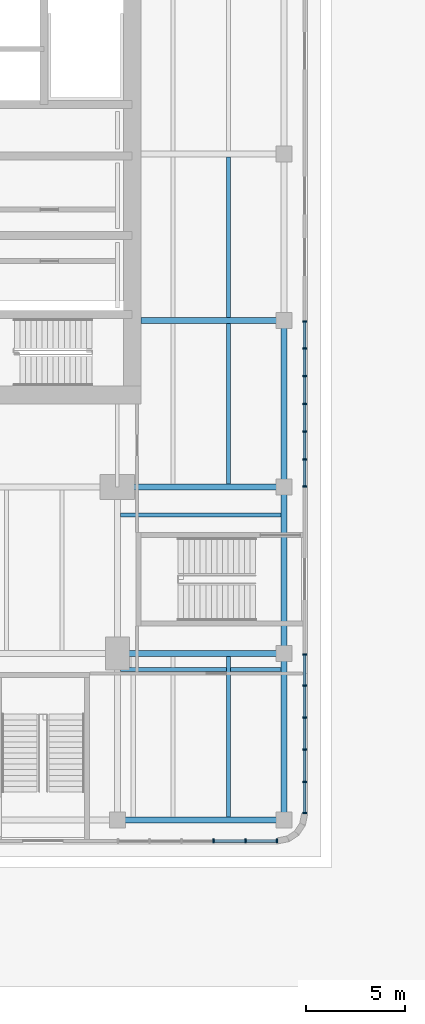
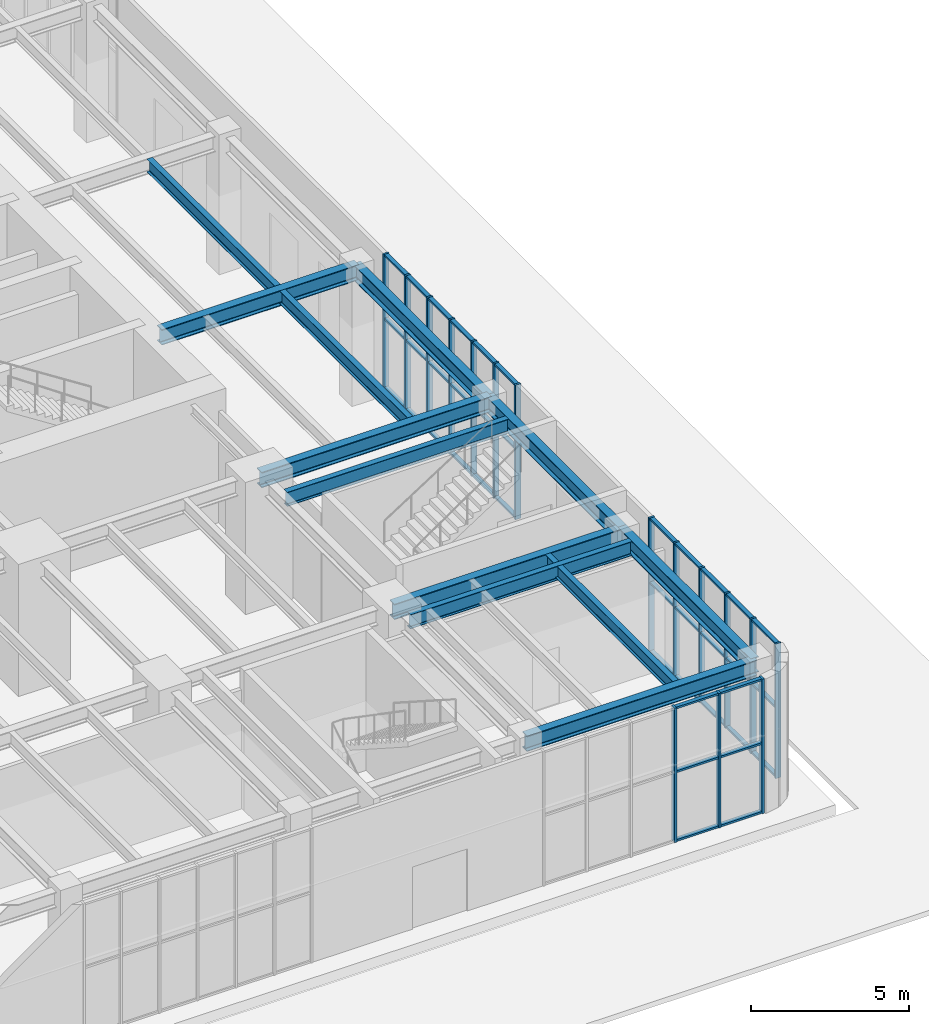
# One storey, part 9 of 31: 55 members, 12 beams, 3 elements without a shape of their own.
"""IFC4 building model written with IfcOpenShell, lengths in metres."""

import ifcopenshell
import ifcopenshell.guid

model = None  # the IFC model being written
_history = None  # IfcOwnerHistory: only IFC2X3 demands one
_inside = {}  # id of a spatial element -> (the spatial element, [elements in it])
_under = {}  # id of a project, library or spatial element -> (it, [spatial elements below it])
_declared = {}  # id of a project -> (the project, [libraries it declares])
_typed = {}  # id of a type object -> (the type object, [elements of that type])
_made_of = {}  # id of a material, layer set ... -> (it, [elements and type objects made of it])


def new_model(schema):
    """Start an empty IFC model of exactly this schema.

    Asked for "IFC4X3", IfcOpenShell would pick the latest addendum, in which some entities
    have other attributes; the version numbers below select the first issue.
    IFC2X3 requires an IfcOwnerHistory on every rooted entity: one is made here for all.
    """
    global model, _history
    if schema == "IFC4X3":
        model = ifcopenshell.file(schema_version=(4, 3, 0, 0))
    else:
        model = ifcopenshell.file(schema=schema)
    _inside.clear()
    _under.clear()
    _declared.clear()
    _typed.clear()
    _made_of.clear()
    _history = None
    if model.schema == "IFC2X3":
        org = make("IfcOrganization", Name="unknown")
        user = make(
            "IfcPersonAndOrganization",
            ThePerson=make("IfcPerson", FamilyName="unknown"),
            TheOrganization=org,
        )
        app = make(
            "IfcApplication",
            ApplicationDeveloper=org,
            Version="unknown",
            ApplicationFullName="unknown",
            ApplicationIdentifier="unknown",
        )
        _history = make(
            "IfcOwnerHistory",
            OwningUser=user,
            OwningApplication=app,
            ChangeAction="ADDED",
            CreationDate=0,
        )
    return model


def make(cls, **values):
    """One entity of the class cls with the attributes given. An attribute that is None is left unset."""
    return model.create_entity(
        cls, **{name: value for name, value in values.items() if value is not None}
    )


def rooted(cls, **values):
    """An entity with a GlobalId (a new one), such as an element, a storey or a relation."""
    return make(cls, GlobalId=ifcopenshell.guid.new(), OwnerHistory=_history, **values)


def si_unit(unit_type, name, prefix=None):
    """IfcSIUnit, for example si_unit("LENGTHUNIT", "METRE", prefix="MILLI")."""
    return make("IfcSIUnit", UnitType=unit_type, Prefix=prefix, Name=name)


def assignment(units):
    """IfcUnitAssignment: the units of a project."""
    return None if units is None else make("IfcUnitAssignment", Units=units)


def point(xyz):
    """IfcCartesianPoint."""
    return None if xyz is None else make("IfcCartesianPoint", Coordinates=xyz)


def direction(xyz):
    """IfcDirection."""
    return None if xyz is None else make("IfcDirection", DirectionRatios=xyz)


def frame(location, z_axis=None, x_axis=None):
    """IfcAxis2Placement3D, a coordinate frame: its origin and axes. An axis left out is left unset."""
    return make(
        "IfcAxis2Placement3D",
        Location=point(location),
        Axis=direction(z_axis),
        RefDirection=direction(x_axis),
    )


def frame_2d(location, x_axis=None):
    """IfcAxis2Placement2D, a coordinate frame in the plane: its origin and x axis."""
    return make(
        "IfcAxis2Placement2D", Location=point(location), RefDirection=direction(x_axis)
    )


def origin():
    """The frame at (0, 0, 0) with its axes left unset."""
    return frame((0.0, 0.0, 0.0))


def origin_2d():
    """The frame at (0, 0) in the plane with its x axis left unset."""
    return frame_2d((0.0, 0.0))


def place(relative_to, where):
    """IfcLocalPlacement: puts the frame where relative to a parent placement (None: the world)."""
    return make(
        "IfcLocalPlacement", PlacementRelTo=relative_to, RelativePlacement=where
    )


def context(
    kind, dimensions, precision=None, world=None, true_north=None, identifier=None
):
    """IfcGeometricRepresentationContext, for example the 3D "Model" context."""
    return make(
        "IfcGeometricRepresentationContext",
        ContextIdentifier=identifier,
        ContextType=kind,
        CoordinateSpaceDimension=dimensions,
        Precision=precision,
        WorldCoordinateSystem=world,
        TrueNorth=true_north,
    )


def subcontext(parent, identifier, kind, view, scale=None):
    """IfcGeometricRepresentationSubContext, for example "Body" below "Model"."""
    return make(
        "IfcGeometricRepresentationSubContext",
        ContextIdentifier=identifier,
        ContextType=kind,
        ParentContext=parent,
        TargetScale=scale,
        TargetView=view,
    )


def project(units=None, contexts=None):
    """IfcProject with its units and contexts."""
    return rooted(
        "IfcProject",
        Name="project",
        RepresentationContexts=contexts,
        UnitsInContext=assignment(units),
    )


def spatial(cls, under=None, at=None, **own):
    """A site, building, storey or space (cls), placed at a placement, below another one or the project."""
    s = rooted(cls, ObjectPlacement=at, **own)
    if under is not None:
        _under.setdefault(under.id(), (under, []))[1].append(s)
    return s


def profile(cls, at=None, kind="AREA", **sizes):
    """A parametric profile (cls). Its sizes go by their IFC names, for example OverallWidth=200.0."""
    return make(cls, ProfileType=kind, Position=at, **sizes)


def rectangle(**sizes):
    """IfcRectangleProfileDef."""
    return profile("IfcRectangleProfileDef", **sizes)


def i_section(**sizes):
    """IfcIShapeProfileDef."""
    return profile("IfcIShapeProfileDef", **sizes)


def extrude(swept, where, along, depth):
    """IfcExtrudedAreaSolid: the profile swept, set in the frame where, extruded along a direction by depth."""
    return make(
        "IfcExtrudedAreaSolid",
        SweptArea=swept,
        Position=where,
        ExtrudedDirection=direction(along),
        Depth=depth,
    )


def shape(context_of_items, identifier, shape_type, items):
    """IfcShapeRepresentation: the items that make up one representation, for example the "Body"."""
    return make(
        "IfcShapeRepresentation",
        ContextOfItems=context_of_items,
        RepresentationIdentifier=identifier,
        RepresentationType=shape_type,
        Items=items,
    )


def material(Name=None, Category=None):
    """IfcMaterial."""
    return make("IfcMaterial", Name=Name, Category=Category)


def material_profile(
    of_material, cross_section, Name=None, Category=None, Priority=None
):
    """IfcMaterialProfile: a cross section and its material."""
    return make(
        "IfcMaterialProfile",
        Name=Name,
        Material=of_material,
        Profile=cross_section,
        Priority=Priority,
        Category=Category,
    )


def profile_set(profiles, Name=None, composite=None):
    """IfcMaterialProfileSet."""
    return make(
        "IfcMaterialProfileSet",
        Name=Name,
        MaterialProfiles=profiles,
        CompositeProfile=composite,
    )


def made_of(thing, what):
    """Note that an element or type object is made of a material, layer set ...; save() writes the relation."""
    if what is not None:
        _made_of.setdefault(what.id(), (what, []))[1].append(thing)
    return thing


def type_object(cls, material=None, **own):
    """A type object (cls), such as IfcWallType, which elements share."""
    return made_of(rooted(cls, **own), material)


def element(
    cls,
    number,
    at=None,
    inside=None,
    cuts=None,
    type_object=None,
    material=None,
    context=None,
    identifier="Body",
    shape_type=None,
    held_by="IfcProductDefinitionShape",
    body=None,
    shapes=None,
    **own,
):
    """One element of the class cls, such as IfcWall. Its Tag is "e" and its number.

    at: its placement. inside: the storey or other place that contains it. cuts: it is an
    opening in that element (IfcRelVoidsElement). A single representation is given by context,
    identifier, shape_type and body (its items); several are given by shapes. held_by: the class
    of the entity that holds the representations. save() writes the other relations.
    """
    e = rooted(cls, Tag="e%d" % number, ObjectPlacement=at, **own)
    if body is not None:
        shapes = [shape(context, identifier, shape_type, body)]
    if shapes is not None:
        e.Representation = make(held_by, Representations=shapes)
    if inside is not None:
        _inside.setdefault(inside.id(), (inside, []))[1].append(e)
    if cuts is not None:
        rooted(
            "IfcRelVoidsElement", RelatingBuildingElement=cuts, RelatedOpeningElement=e
        )
    if type_object is not None:
        _typed.setdefault(type_object.id(), (type_object, []))[1].append(e)
    return made_of(e, material)


def aggregate(whole, parts):
    """IfcRelAggregates: a whole, such as a stair, and the parts it consists of."""
    return rooted("IfcRelAggregates", RelatingObject=whole, RelatedObjects=parts)


def save(model, path):
    """Write the relations noted so far, then the file.

    IfcRelAggregates (storeys below a building ...), IfcRelContainedInSpatialStructure (elements
    in a storey), IfcRelDefinesByType, IfcRelAssociatesMaterial and IfcRelDeclares: one each for
    every whole, place, type object, material and project.
    """
    for whole, parts in _under.values():
        aggregate(whole, parts)
    for where, things in _inside.values():
        rooted(
            "IfcRelContainedInSpatialStructure",
            RelatedElements=things,
            RelatingStructure=where,
        )
    for kind, things in _typed.values():
        rooted("IfcRelDefinesByType", RelatedObjects=things, RelatingType=kind)
    for what, things in _made_of.values():
        rooted("IfcRelAssociatesMaterial", RelatedObjects=things, RelatingMaterial=what)
    for by, libraries in _declared.values():
        rooted("IfcRelDeclares", RelatingContext=by, RelatedDefinitions=libraries)
    model.write(path)


model = new_model("IFC4")

# Units and contexts
model_context = context("Model", 3, precision=1e-05, world=origin(), true_north=direction((0.0, 1.0)))
body_context = subcontext(model_context, "Body", "Model", "MODEL_VIEW")
ifc_project = project(units=[si_unit("LENGTHUNIT", "METRE"), si_unit("AREAUNIT", "SQUARE_METRE"), si_unit("VOLUMEUNIT", "CUBIC_METRE"), si_unit("PLANEANGLEUNIT", "RADIAN"), si_unit("MASSUNIT", "GRAM", prefix="KILO")], contexts=[model_context])

# Site, building, storey
site_placement = place(None, origin())
site = spatial("IfcSite", under=ifc_project, at=site_placement, CompositionType="ELEMENT")
building_placement = place(site_placement, origin())
building = spatial("IfcBuilding", under=site, at=building_placement, Name="Claustro Exchange Tower", CompositionType="ELEMENT")
storey_placement = place(building_placement, origin())
storey = spatial("IfcBuildingStorey", under=building, at=storey_placement, Name="L00", CompositionType="ELEMENT", Elevation=0.0)

# Beams
ifc_material_1 = material(Name="Steel S355", Category="steel")
ifc_material_profile_1 = material_profile(ifc_material_1, i_section(OverallWidth=0.300048828125, OverallDepth=0.60009765625, WebThickness=0.015380859375, FlangeThickness=0.030029296875, FilletRadius=0.027099609375, at=origin_2d()), Name="HE 600 B")
ifc_profile_set_1 = profile_set([ifc_material_profile_1], Name="Steel S355")
beam_type_1 = type_object("IfcBeamType", Name="B1 HE 600 B floor girder", PredefinedType="BEAM", material=ifc_profile_set_1)
for number, where, z_axis, x_axis, name in (
    (1, (58.800048828125, -8.39990234375, 4.89990234375), (0.0, 1.0, 0.0), (-1.0, 0.0, 0.0), "Beam B1 L01"),
    (2, (58.800048828125, 0.0, 4.89990234375), (0.0, 1.0, 0.0), (-1.0, 0.0, 0.0), "Beam B1 L01"),
):
    element("IfcBeam", number, at=place(storey_placement, frame(where, z_axis=z_axis, x_axis=x_axis)), inside=storey, type_object=beam_type_1, Name=name, PredefinedType="BEAM", context=body_context, shape_type="SweptSolid", body=[
        extrude(i_section(OverallWidth=0.300048828125, OverallDepth=0.60009765625, WebThickness=0.015380859375, FlangeThickness=0.030029296875, FilletRadius=0.027099609375, at=origin_2d()), origin(), (0.0, 0.0, 1.0), 8.39990234375),
    ])
for number, where, z_axis, x_axis, name in (
    (3, (58.800048828125, 8.39990234375, 4.89990234375), (0.0, 1.0, 0.0), (-1.0, 0.0, 0.0), "Beam B1 L01"),
    (4, (50.39990234375, -8.39990234375, 4.89990234375), (1.0, 0.0, 0.0), (0.0, 1.0, 0.0), "Beam B1 L01"),
    (5, (50.39990234375, 0.0, 4.89990234375), (1.0, 0.0, 0.0), (0.0, 1.0, 0.0), "Beam B1 L01"),
    (6, (50.39990234375, 8.39990234375, 4.89990234375), (1.0, 0.0, 0.0), (0.0, 1.0, 0.0), "Beam B1 L01"),
):
    element("IfcBeam", number, at=place(storey_placement, frame(where, z_axis=z_axis, x_axis=x_axis)), inside=storey, type_object=beam_type_1, Name=name, PredefinedType="BEAM", context=body_context, shape_type="SweptSolid", body=[
        extrude(i_section(OverallWidth=0.300048828125, OverallDepth=0.60009765625, WebThickness=0.015380859375, FlangeThickness=0.030029296875, FilletRadius=0.027099609375, at=origin_2d()), origin(), (0.0, 0.0, 1.0), 8.400146484375),
    ])
beam_1_placement = place(storey_placement, frame((51.60009765625, 16.800048828125, 4.89990234375), z_axis=(1.0, 0.0, 0.0), x_axis=(0.0, 1.0, 0.0)))
element("IfcBeam", 7, at=beam_1_placement, inside=storey, type_object=beam_type_1, Name="Beam B1 L01", PredefinedType="BEAM", context=body_context, shape_type="SweptSolid", body=[
    extrude(i_section(OverallWidth=0.300048828125, OverallDepth=0.60009765625, WebThickness=0.015380859375, FlangeThickness=0.030029296875, FilletRadius=0.027099609375, at=origin_2d()), origin(), (0.0, 0.0, 1.0), 7.199951171875),
])
ifc_material_2 = material(Name="Steel S355", Category="steel")
ifc_material_profile_2 = material_profile(ifc_material_2, i_section(OverallWidth=0.199951171875, OverallDepth=0.5, WebThickness=0.01025390625, FlangeThickness=0.01611328125, FilletRadius=0.02099609375, at=origin_2d()), Name="IPE 500")
ifc_profile_set_2 = profile_set([ifc_material_profile_2], Name="Steel S355")
beam_type_2 = type_object("IfcBeamType", Name="B2 IPE 500 secondary beam", PredefinedType="BEAM", material=ifc_profile_set_2)
beam_2_placement = place(storey_placement, frame((56.0, -8.25, 4.949951171875), z_axis=(0.0, 1.0, 0.0), x_axis=(-1.0, 0.0, 0.0)))
element("IfcBeam", 8, at=beam_2_placement, inside=storey, type_object=beam_type_2, Name="Beam B2 L01", PredefinedType="BEAM", context=body_context, shape_type="SweptSolid", body=[
    extrude(i_section(OverallWidth=0.199951171875, OverallDepth=0.5, WebThickness=0.01025390625, FlangeThickness=0.01611328125, FilletRadius=0.02099609375, at=origin_2d()), origin(), (0.0, 0.0, 1.0), 8.10009765625),
])
beam_3_placement = place(storey_placement, frame((56.0, 8.550048828125, 4.949951171875), z_axis=(0.0, 1.0, 0.0), x_axis=(-1.0, 0.0, 0.0)))
element("IfcBeam", 9, at=beam_3_placement, inside=storey, type_object=beam_type_2, Name="Beam B2 L01", PredefinedType="BEAM", context=body_context, shape_type="SweptSolid", body=[
    extrude(i_section(OverallWidth=0.199951171875, OverallDepth=0.5, WebThickness=0.01025390625, FlangeThickness=0.01611328125, FilletRadius=0.02099609375, at=origin_2d()), origin(), (0.0, 0.0, 1.0), 8.099853515625),
])
beam_4_placement = place(storey_placement, frame((56.0, 16.949951171875, 4.949951171875), z_axis=(0.0, 1.0, 0.0), x_axis=(-1.0, 0.0, 0.0)))
element("IfcBeam", 10, at=beam_4_placement, inside=storey, type_object=beam_type_2, Name="Beam B2 L01", PredefinedType="BEAM", context=body_context, shape_type="SweptSolid", body=[
    extrude(i_section(OverallWidth=0.199951171875, OverallDepth=0.5, WebThickness=0.01025390625, FlangeThickness=0.01611328125, FilletRadius=0.02099609375, at=origin_2d()), origin(), (0.0, 0.0, 1.0), 8.10009765625),
])
ifc_material_3 = material(Name="Steel S355", Category="steel")
ifc_material_profile_3 = material_profile(ifc_material_3, i_section(OverallWidth=0.2099609375, OverallDepth=0.550048828125, WebThickness=0.010986328125, FlangeThickness=0.01708984375, FilletRadius=0.02392578125, at=origin_2d()), Name="IPE 550")
ifc_profile_set_3 = profile_set([ifc_material_profile_3], Name="Steel S355")
beam_type_3 = type_object("IfcBeamType", Name="B28 IPE 550 podium stair trimmer", PredefinedType="BEAM", material=ifc_profile_set_3)
for number, where, z_axis, x_axis, name in (
    (11, (50.550048828125, 7.0, 4.925048828125), (1.0, 0.0, 0.0), (0.0, 1.0, 0.0), "Beam B28 trimmer STP6 L01"),
    (12, (50.550048828125, -0.800048828125, 4.925048828125), (1.0, 0.0, 0.0), (0.0, 1.0, 0.0), "Beam B28 trimmer STP6 L01"),
):
    element("IfcBeam", number, at=place(storey_placement, frame(where, z_axis=z_axis, x_axis=x_axis)), inside=storey, type_object=beam_type_3, Name=name, PredefinedType="BEAM", context=body_context, shape_type="SweptSolid", body=[
        extrude(i_section(OverallWidth=0.2099609375, OverallDepth=0.550048828125, WebThickness=0.010986328125, FlangeThickness=0.01708984375, FilletRadius=0.02392578125, at=origin_2d()), origin(), (0.0, 0.0, 1.0), 8.099853515625),
    ])

# Curtain wall, members
ifc_material_4 = material(Name="Aluminium frame, clear double glazing", Category="aluminium")
curtain_wall_type = type_object("IfcCurtainWallType", Name="CW1 storefront curtain wall", PredefinedType="USERDEFINED", material=ifc_material_4)
curtain_wall_1_placement = place(storey_placement, origin())
curtain_wall_1 = element("IfcCurtainWall", 13, at=curtain_wall_1_placement, inside=storey, type_object=curtain_wall_type, Name="Curtain wall CW1 L00", ObjectType="STICK CURTAIN WALL", PredefinedType="USERDEFINED")
ifc_material_5 = material(Name="Aluminium mullion", Category="aluminium")
ifc_material_profile_4 = material_profile(ifc_material_5, rectangle(XDim=0.199951171875, YDim=0.074951171875, at=origin_2d()), Name="CW1-M 75x200")
ifc_profile_set_4 = profile_set([ifc_material_profile_4], Name="Aluminium mullion")
member_type_1 = type_object("IfcMemberType", Name="CW1-M 75 x 200 mullion", PredefinedType="MULLION", material=ifc_profile_set_4)
member_1_placement = place(storey_placement, frame((55.251220703125, -9.449951171875, 0.0), z_axis=(0.0, 0.0, 1.0), x_axis=(0.0, 1.0, 0.0)))
member_1 = element("IfcMember", 14, at=member_1_placement, type_object=member_type_1, Name="CW1 mullion 4", PredefinedType="MULLION", context=body_context, shape_type="SweptSolid", body=[
    extrude(rectangle(XDim=0.199951171875, YDim=0.074951171875, at=origin_2d()), origin(), (0.0, 0.0, 1.0), 5.199951171875),
])
member_2_placement = place(storey_placement, frame((56.8681640625, -9.449951171875, 0.0), z_axis=(0.0, 0.0, 1.0), x_axis=(0.0, 1.0, 0.0)))
member_2 = element("IfcMember", 15, at=member_2_placement, type_object=member_type_1, Name="CW1 mullion 5", PredefinedType="MULLION", context=body_context, shape_type="SweptSolid", body=[
    extrude(rectangle(XDim=0.199951171875, YDim=0.074951171875, at=origin_2d()), origin(), (0.0, 0.0, 1.0), 5.199951171875),
])
member_3_placement = place(storey_placement, frame((58.44775390625, -9.449951171875, 0.0), z_axis=(0.0, 0.0, 1.0), x_axis=(0.0, 1.0, 0.0)))
member_3 = element("IfcMember", 16, at=member_3_placement, type_object=member_type_1, Name="CW1 mullion 6", PredefinedType="MULLION", context=body_context, shape_type="SweptSolid", body=[
    extrude(rectangle(XDim=0.199951171875, YDim=0.074951171875, at=origin_2d()), origin(), (0.0, 0.0, 1.0), 5.199951171875),
])

curtain_wall_2_placement = place(storey_placement, origin())
curtain_wall_2 = element("IfcCurtainWall", 17, at=curtain_wall_2_placement, inside=storey, type_object=curtain_wall_type, Name="Curtain wall CW1 L00", ObjectType="STICK CURTAIN WALL", PredefinedType="USERDEFINED")
member_4_placement = place(storey_placement, frame((59.85009765625, -8.047607421875, 0.0), z_axis=(0.0, 0.0, 1.0), x_axis=(-1.0, 0.0, 0.0)))
member_4 = element("IfcMember", 18, at=member_4_placement, type_object=member_type_1, Name="CW1 mullion 1", PredefinedType="MULLION", context=body_context, shape_type="SweptSolid", body=[
    extrude(rectangle(XDim=0.199951171875, YDim=0.074951171875, at=origin_2d()), origin(), (0.0, 0.0, 1.0), 5.199951171875),
])
member_5_placement = place(storey_placement, frame((59.85009765625, -6.46826171875, 0.0), z_axis=(0.0, 0.0, 1.0), x_axis=(-1.0, 0.0, 0.0)))
member_5 = element("IfcMember", 19, at=member_5_placement, type_object=member_type_1, Name="CW1 mullion 2", PredefinedType="MULLION", context=body_context, shape_type="SweptSolid", body=[
    extrude(rectangle(XDim=0.199951171875, YDim=0.074951171875, at=origin_2d()), origin(), (0.0, 0.0, 1.0), 5.199951171875),
])
member_6_placement = place(storey_placement, frame((59.85009765625, -4.85107421875, 0.0), z_axis=(0.0, 0.0, 1.0), x_axis=(-1.0, 0.0, 0.0)))
member_6 = element("IfcMember", 20, at=member_6_placement, type_object=member_type_1, Name="CW1 mullion 3", PredefinedType="MULLION", context=body_context, shape_type="SweptSolid", body=[
    extrude(rectangle(XDim=0.199951171875, YDim=0.074951171875, at=origin_2d()), origin(), (0.0, 0.0, 1.0), 5.199951171875),
])
member_7_placement = place(storey_placement, frame((59.85009765625, -3.234130859375, 0.0), z_axis=(0.0, 0.0, 1.0), x_axis=(-1.0, 0.0, 0.0)))
member_7 = element("IfcMember", 21, at=member_7_placement, type_object=member_type_1, Name="CW1 mullion 4", PredefinedType="MULLION", context=body_context, shape_type="SweptSolid", body=[
    extrude(rectangle(XDim=0.199951171875, YDim=0.074951171875, at=origin_2d()), origin(), (0.0, 0.0, 1.0), 5.199951171875),
])
member_8_placement = place(storey_placement, frame((59.85009765625, -1.616943359375, 0.0), z_axis=(0.0, 0.0, 1.0), x_axis=(-1.0, 0.0, 0.0)))
member_8 = element("IfcMember", 22, at=member_8_placement, type_object=member_type_1, Name="CW1 mullion 5", PredefinedType="MULLION", context=body_context, shape_type="SweptSolid", body=[
    extrude(rectangle(XDim=0.199951171875, YDim=0.074951171875, at=origin_2d()), origin(), (0.0, 0.0, 1.0), 5.199951171875),
])
member_9_placement = place(storey_placement, frame((59.85009765625, -0.03759765625, 0.0), z_axis=(0.0, 0.0, 1.0), x_axis=(-1.0, 0.0, 0.0)))
member_9 = element("IfcMember", 23, at=member_9_placement, type_object=member_type_1, Name="CW1 mullion 6", PredefinedType="MULLION", context=body_context, shape_type="SweptSolid", body=[
    extrude(rectangle(XDim=0.199951171875, YDim=0.074951171875, at=origin_2d()), origin(), (0.0, 0.0, 1.0), 5.199951171875),
])

curtain_wall_3_placement = place(storey_placement, origin())
curtain_wall_3 = element("IfcCurtainWall", 24, at=curtain_wall_3_placement, inside=storey, type_object=curtain_wall_type, Name="Curtain wall CW1 L00", ObjectType="STICK CURTAIN WALL", PredefinedType="USERDEFINED")
member_10_placement = place(storey_placement, frame((59.85009765625, 8.4375, 0.0), z_axis=(0.0, 0.0, 1.0), x_axis=(-1.0, 0.0, 0.0)))
member_10 = element("IfcMember", 25, at=member_10_placement, type_object=member_type_1, Name="CW1 mullion 1", PredefinedType="MULLION", context=body_context, shape_type="SweptSolid", body=[
    extrude(rectangle(XDim=0.199951171875, YDim=0.074951171875, at=origin_2d()), origin(), (0.0, 0.0, 1.0), 5.199951171875),
])
member_11_placement = place(storey_placement, frame((59.85009765625, 9.800048828125, 0.0), z_axis=(0.0, 0.0, 1.0), x_axis=(-1.0, 0.0, 0.0)))
member_11 = element("IfcMember", 26, at=member_11_placement, type_object=member_type_1, Name="CW1 mullion 2", PredefinedType="MULLION", context=body_context, shape_type="SweptSolid", body=[
    extrude(rectangle(XDim=0.199951171875, YDim=0.074951171875, at=origin_2d()), origin(), (0.0, 0.0, 1.0), 5.199951171875),
])
member_12_placement = place(storey_placement, frame((59.85009765625, 11.199951171875, 0.0), z_axis=(0.0, 0.0, 1.0), x_axis=(-1.0, 0.0, 0.0)))
member_12 = element("IfcMember", 27, at=member_12_placement, type_object=member_type_1, Name="CW1 mullion 3", PredefinedType="MULLION", context=body_context, shape_type="SweptSolid", body=[
    extrude(rectangle(XDim=0.199951171875, YDim=0.074951171875, at=origin_2d()), origin(), (0.0, 0.0, 1.0), 5.199951171875),
])
member_13_placement = place(storey_placement, frame((59.85009765625, 12.60009765625, 0.0), z_axis=(0.0, 0.0, 1.0), x_axis=(-1.0, 0.0, 0.0)))
member_13 = element("IfcMember", 28, at=member_13_placement, type_object=member_type_1, Name="CW1 mullion 4", PredefinedType="MULLION", context=body_context, shape_type="SweptSolid", body=[
    extrude(rectangle(XDim=0.199951171875, YDim=0.074951171875, at=origin_2d()), origin(), (0.0, 0.0, 1.0), 5.199951171875),
])
member_14_placement = place(storey_placement, frame((59.85009765625, 14.0, 0.0), z_axis=(0.0, 0.0, 1.0), x_axis=(-1.0, 0.0, 0.0)))
member_14 = element("IfcMember", 29, at=member_14_placement, type_object=member_type_1, Name="CW1 mullion 5", PredefinedType="MULLION", context=body_context, shape_type="SweptSolid", body=[
    extrude(rectangle(XDim=0.199951171875, YDim=0.074951171875, at=origin_2d()), origin(), (0.0, 0.0, 1.0), 5.199951171875),
])
member_15_placement = place(storey_placement, frame((59.85009765625, 15.39990234375, 0.0), z_axis=(0.0, 0.0, 1.0), x_axis=(-1.0, 0.0, 0.0)))
member_15 = element("IfcMember", 30, at=member_15_placement, type_object=member_type_1, Name="CW1 mullion 6", PredefinedType="MULLION", context=body_context, shape_type="SweptSolid", body=[
    extrude(rectangle(XDim=0.199951171875, YDim=0.074951171875, at=origin_2d()), origin(), (0.0, 0.0, 1.0), 5.199951171875),
])
member_16_placement = place(storey_placement, frame((59.85009765625, 16.762451171875, 0.0), z_axis=(0.0, 0.0, 1.0), x_axis=(-1.0, 0.0, 0.0)))
member_16 = element("IfcMember", 31, at=member_16_placement, type_object=member_type_1, Name="CW1 mullion 7", PredefinedType="MULLION", context=body_context, shape_type="SweptSolid", body=[
    extrude(rectangle(XDim=0.199951171875, YDim=0.074951171875, at=origin_2d()), origin(), (0.0, 0.0, 1.0), 5.199951171875),
])

# Member
ifc_material_6 = material(Name="Aluminium transom", Category="aluminium")
ifc_material_profile_5 = material_profile(ifc_material_6, rectangle(XDim=0.14990234375, YDim=0.074951171875, at=origin_2d()), Name="CW1-T 75x150")
ifc_profile_set_5 = profile_set([ifc_material_profile_5], Name="Aluminium transom")
member_type_2 = type_object("IfcMemberType", Name="CW1-T 75 x 150 transom", PredefinedType="USERDEFINED", material=ifc_profile_set_5)
member_17_placement = place(storey_placement, frame((55.28857421875, -9.449951171875, 0.03759765625), z_axis=(1.0, 0.0, 0.0), x_axis=(0.0, 1.0, 0.0)))
member_17 = element("IfcMember", 32, at=member_17_placement, type_object=member_type_2, Name="CW1 transom 4.1", ObjectType="TRANSOM", PredefinedType="USERDEFINED", context=body_context, shape_type="SweptSolid", body=[
    extrude(rectangle(XDim=0.14990234375, YDim=0.074951171875, at=origin_2d()), origin(), (0.0, 0.0, 1.0), 1.5419921875),
])

member_18_placement = place(storey_placement, frame((55.28857421875, -9.449951171875, 2.699951171875), z_axis=(1.0, 0.0, 0.0), x_axis=(0.0, 1.0, 0.0)))
member_18 = element("IfcMember", 33, at=member_18_placement, type_object=member_type_2, Name="CW1 transom 4.2", ObjectType="TRANSOM", PredefinedType="USERDEFINED", context=body_context, shape_type="SweptSolid", body=[
    extrude(rectangle(XDim=0.14990234375, YDim=0.074951171875, at=origin_2d()), origin(), (0.0, 0.0, 1.0), 1.5419921875),
])

member_19_placement = place(storey_placement, frame((55.28857421875, -9.449951171875, 5.16259765625), z_axis=(1.0, 0.0, 0.0), x_axis=(0.0, 1.0, 0.0)))
member_19 = element("IfcMember", 34, at=member_19_placement, type_object=member_type_2, Name="CW1 transom 4.3", ObjectType="TRANSOM", PredefinedType="USERDEFINED", context=body_context, shape_type="SweptSolid", body=[
    extrude(rectangle(XDim=0.14990234375, YDim=0.074951171875, at=origin_2d()), origin(), (0.0, 0.0, 1.0), 1.5419921875),
])

member_20_placement = place(storey_placement, frame((56.90576171875, -9.449951171875, 0.03759765625), z_axis=(1.0, 0.0, 0.0), x_axis=(0.0, 1.0, 0.0)))
member_20 = element("IfcMember", 35, at=member_20_placement, type_object=member_type_2, Name="CW1 transom 5.1", ObjectType="TRANSOM", PredefinedType="USERDEFINED", context=body_context, shape_type="SweptSolid", body=[
    extrude(rectangle(XDim=0.14990234375, YDim=0.074951171875, at=origin_2d()), origin(), (0.0, 0.0, 1.0), 1.50439453125),
])

member_21_placement = place(storey_placement, frame((56.90576171875, -9.449951171875, 2.699951171875), z_axis=(1.0, 0.0, 0.0), x_axis=(0.0, 1.0, 0.0)))
member_21 = element("IfcMember", 36, at=member_21_placement, type_object=member_type_2, Name="CW1 transom 5.2", ObjectType="TRANSOM", PredefinedType="USERDEFINED", context=body_context, shape_type="SweptSolid", body=[
    extrude(rectangle(XDim=0.14990234375, YDim=0.074951171875, at=origin_2d()), origin(), (0.0, 0.0, 1.0), 1.50439453125),
])

member_22_placement = place(storey_placement, frame((56.90576171875, -9.449951171875, 5.16259765625), z_axis=(1.0, 0.0, 0.0), x_axis=(0.0, 1.0, 0.0)))
member_22 = element("IfcMember", 37, at=member_22_placement, type_object=member_type_2, Name="CW1 transom 5.3", ObjectType="TRANSOM", PredefinedType="USERDEFINED", context=body_context, shape_type="SweptSolid", body=[
    extrude(rectangle(XDim=0.14990234375, YDim=0.074951171875, at=origin_2d()), origin(), (0.0, 0.0, 1.0), 1.50439453125),
])

aggregate(curtain_wall_1, [member_1, member_2, member_3, member_17, member_18, member_19, member_20, member_21, member_22])

member_23_placement = place(storey_placement, frame((59.85009765625, -8.01025390625, 0.03759765625), z_axis=(0.0, 1.0, 0.0), x_axis=(-1.0, 0.0, 0.0)))
member_23 = element("IfcMember", 38, at=member_23_placement, type_object=member_type_2, Name="CW1 transom 1.1", ObjectType="TRANSOM", PredefinedType="USERDEFINED", context=body_context, shape_type="SweptSolid", body=[
    extrude(rectangle(XDim=0.14990234375, YDim=0.074951171875, at=origin_2d()), origin(), (0.0, 0.0, 1.0), 1.504638671875),
])

member_24_placement = place(storey_placement, frame((59.85009765625, -8.01025390625, 2.699951171875), z_axis=(0.0, 1.0, 0.0), x_axis=(-1.0, 0.0, 0.0)))
member_24 = element("IfcMember", 39, at=member_24_placement, type_object=member_type_2, Name="CW1 transom 1.2", ObjectType="TRANSOM", PredefinedType="USERDEFINED", context=body_context, shape_type="SweptSolid", body=[
    extrude(rectangle(XDim=0.14990234375, YDim=0.074951171875, at=origin_2d()), origin(), (0.0, 0.0, 1.0), 1.504638671875),
])

member_25_placement = place(storey_placement, frame((59.85009765625, -8.01025390625, 5.16259765625), z_axis=(0.0, 1.0, 0.0), x_axis=(-1.0, 0.0, 0.0)))
member_25 = element("IfcMember", 40, at=member_25_placement, type_object=member_type_2, Name="CW1 transom 1.3", ObjectType="TRANSOM", PredefinedType="USERDEFINED", context=body_context, shape_type="SweptSolid", body=[
    extrude(rectangle(XDim=0.14990234375, YDim=0.074951171875, at=origin_2d()), origin(), (0.0, 0.0, 1.0), 1.504638671875),
])

member_26_placement = place(storey_placement, frame((59.85009765625, -6.4306640625, 0.03759765625), z_axis=(0.0, 1.0, 0.0), x_axis=(-1.0, 0.0, 0.0)))
member_26 = element("IfcMember", 41, at=member_26_placement, type_object=member_type_2, Name="CW1 transom 2.1", ObjectType="TRANSOM", PredefinedType="USERDEFINED", context=body_context, shape_type="SweptSolid", body=[
    extrude(rectangle(XDim=0.14990234375, YDim=0.074951171875, at=origin_2d()), origin(), (0.0, 0.0, 1.0), 1.5419921875),
])

member_27_placement = place(storey_placement, frame((59.85009765625, -6.4306640625, 2.699951171875), z_axis=(0.0, 1.0, 0.0), x_axis=(-1.0, 0.0, 0.0)))
member_27 = element("IfcMember", 42, at=member_27_placement, type_object=member_type_2, Name="CW1 transom 2.2", ObjectType="TRANSOM", PredefinedType="USERDEFINED", context=body_context, shape_type="SweptSolid", body=[
    extrude(rectangle(XDim=0.14990234375, YDim=0.074951171875, at=origin_2d()), origin(), (0.0, 0.0, 1.0), 1.5419921875),
])

member_28_placement = place(storey_placement, frame((59.85009765625, -6.4306640625, 5.16259765625), z_axis=(0.0, 1.0, 0.0), x_axis=(-1.0, 0.0, 0.0)))
member_28 = element("IfcMember", 43, at=member_28_placement, type_object=member_type_2, Name="CW1 transom 2.3", ObjectType="TRANSOM", PredefinedType="USERDEFINED", context=body_context, shape_type="SweptSolid", body=[
    extrude(rectangle(XDim=0.14990234375, YDim=0.074951171875, at=origin_2d()), origin(), (0.0, 0.0, 1.0), 1.5419921875),
])

member_29_placement = place(storey_placement, frame((59.85009765625, -4.813720703125, 0.03759765625), z_axis=(0.0, 1.0, 0.0), x_axis=(-1.0, 0.0, 0.0)))
member_29 = element("IfcMember", 44, at=member_29_placement, type_object=member_type_2, Name="CW1 transom 3.1", ObjectType="TRANSOM", PredefinedType="USERDEFINED", context=body_context, shape_type="SweptSolid", body=[
    extrude(rectangle(XDim=0.14990234375, YDim=0.074951171875, at=origin_2d()), origin(), (0.0, 0.0, 1.0), 1.542236328125),
])

member_30_placement = place(storey_placement, frame((59.85009765625, -4.813720703125, 2.699951171875), z_axis=(0.0, 1.0, 0.0), x_axis=(-1.0, 0.0, 0.0)))
member_30 = element("IfcMember", 45, at=member_30_placement, type_object=member_type_2, Name="CW1 transom 3.2", ObjectType="TRANSOM", PredefinedType="USERDEFINED", context=body_context, shape_type="SweptSolid", body=[
    extrude(rectangle(XDim=0.14990234375, YDim=0.074951171875, at=origin_2d()), origin(), (0.0, 0.0, 1.0), 1.542236328125),
])

member_31_placement = place(storey_placement, frame((59.85009765625, -4.813720703125, 5.16259765625), z_axis=(0.0, 1.0, 0.0), x_axis=(-1.0, 0.0, 0.0)))
member_31 = element("IfcMember", 46, at=member_31_placement, type_object=member_type_2, Name="CW1 transom 3.3", ObjectType="TRANSOM", PredefinedType="USERDEFINED", context=body_context, shape_type="SweptSolid", body=[
    extrude(rectangle(XDim=0.14990234375, YDim=0.074951171875, at=origin_2d()), origin(), (0.0, 0.0, 1.0), 1.542236328125),
])

member_32_placement = place(storey_placement, frame((59.85009765625, -3.196533203125, 0.03759765625), z_axis=(0.0, 1.0, 0.0), x_axis=(-1.0, 0.0, 0.0)))
member_32 = element("IfcMember", 47, at=member_32_placement, type_object=member_type_2, Name="CW1 transom 4.1", ObjectType="TRANSOM", PredefinedType="USERDEFINED", context=body_context, shape_type="SweptSolid", body=[
    extrude(rectangle(XDim=0.14990234375, YDim=0.074951171875, at=origin_2d()), origin(), (0.0, 0.0, 1.0), 1.5419921875),
])

member_33_placement = place(storey_placement, frame((59.85009765625, -3.196533203125, 2.699951171875), z_axis=(0.0, 1.0, 0.0), x_axis=(-1.0, 0.0, 0.0)))
member_33 = element("IfcMember", 48, at=member_33_placement, type_object=member_type_2, Name="CW1 transom 4.2", ObjectType="TRANSOM", PredefinedType="USERDEFINED", context=body_context, shape_type="SweptSolid", body=[
    extrude(rectangle(XDim=0.14990234375, YDim=0.074951171875, at=origin_2d()), origin(), (0.0, 0.0, 1.0), 1.5419921875),
])

member_34_placement = place(storey_placement, frame((59.85009765625, -3.196533203125, 5.16259765625), z_axis=(0.0, 1.0, 0.0), x_axis=(-1.0, 0.0, 0.0)))
member_34 = element("IfcMember", 49, at=member_34_placement, type_object=member_type_2, Name="CW1 transom 4.3", ObjectType="TRANSOM", PredefinedType="USERDEFINED", context=body_context, shape_type="SweptSolid", body=[
    extrude(rectangle(XDim=0.14990234375, YDim=0.074951171875, at=origin_2d()), origin(), (0.0, 0.0, 1.0), 1.5419921875),
])

member_35_placement = place(storey_placement, frame((59.85009765625, -1.57958984375, 0.03759765625), z_axis=(0.0, 1.0, 0.0), x_axis=(-1.0, 0.0, 0.0)))
member_35 = element("IfcMember", 50, at=member_35_placement, type_object=member_type_2, Name="CW1 transom 5.1", ObjectType="TRANSOM", PredefinedType="USERDEFINED", context=body_context, shape_type="SweptSolid", body=[
    extrude(rectangle(XDim=0.14990234375, YDim=0.074951171875, at=origin_2d()), origin(), (0.0, 0.0, 1.0), 1.504638671875),
])

member_36_placement = place(storey_placement, frame((59.85009765625, -1.57958984375, 2.699951171875), z_axis=(0.0, 1.0, 0.0), x_axis=(-1.0, 0.0, 0.0)))
member_36 = element("IfcMember", 51, at=member_36_placement, type_object=member_type_2, Name="CW1 transom 5.2", ObjectType="TRANSOM", PredefinedType="USERDEFINED", context=body_context, shape_type="SweptSolid", body=[
    extrude(rectangle(XDim=0.14990234375, YDim=0.074951171875, at=origin_2d()), origin(), (0.0, 0.0, 1.0), 1.504638671875),
])

member_37_placement = place(storey_placement, frame((59.85009765625, -1.57958984375, 5.16259765625), z_axis=(0.0, 1.0, 0.0), x_axis=(-1.0, 0.0, 0.0)))
member_37 = element("IfcMember", 52, at=member_37_placement, type_object=member_type_2, Name="CW1 transom 5.3", ObjectType="TRANSOM", PredefinedType="USERDEFINED", context=body_context, shape_type="SweptSolid", body=[
    extrude(rectangle(XDim=0.14990234375, YDim=0.074951171875, at=origin_2d()), origin(), (0.0, 0.0, 1.0), 1.504638671875),
])

aggregate(curtain_wall_2, [member_4, member_5, member_6, member_7, member_8, member_9, member_23, member_24, member_25, member_26, member_27, member_28, member_29, member_30, member_31, member_32, member_33, member_34, member_35, member_36, member_37])

member_38_placement = place(storey_placement, frame((59.85009765625, 8.47509765625, 0.03759765625), z_axis=(0.0, 1.0, 0.0), x_axis=(-1.0, 0.0, 0.0)))
member_38 = element("IfcMember", 53, at=member_38_placement, type_object=member_type_2, Name="CW1 transom 1.1", ObjectType="TRANSOM", PredefinedType="USERDEFINED", context=body_context, shape_type="SweptSolid", body=[
    extrude(rectangle(XDim=0.14990234375, YDim=0.074951171875, at=origin_2d()), origin(), (0.0, 0.0, 1.0), 1.287353515625),
])

member_39_placement = place(storey_placement, frame((59.85009765625, 8.47509765625, 2.699951171875), z_axis=(0.0, 1.0, 0.0), x_axis=(-1.0, 0.0, 0.0)))
member_39 = element("IfcMember", 54, at=member_39_placement, type_object=member_type_2, Name="CW1 transom 1.2", ObjectType="TRANSOM", PredefinedType="USERDEFINED", context=body_context, shape_type="SweptSolid", body=[
    extrude(rectangle(XDim=0.14990234375, YDim=0.074951171875, at=origin_2d()), origin(), (0.0, 0.0, 1.0), 1.287353515625),
])

member_40_placement = place(storey_placement, frame((59.85009765625, 8.47509765625, 5.16259765625), z_axis=(0.0, 1.0, 0.0), x_axis=(-1.0, 0.0, 0.0)))
member_40 = element("IfcMember", 55, at=member_40_placement, type_object=member_type_2, Name="CW1 transom 1.3", ObjectType="TRANSOM", PredefinedType="USERDEFINED", context=body_context, shape_type="SweptSolid", body=[
    extrude(rectangle(XDim=0.14990234375, YDim=0.074951171875, at=origin_2d()), origin(), (0.0, 0.0, 1.0), 1.287353515625),
])

member_41_placement = place(storey_placement, frame((59.85009765625, 9.83740234375, 0.03759765625), z_axis=(0.0, 1.0, 0.0), x_axis=(-1.0, 0.0, 0.0)))
member_41 = element("IfcMember", 56, at=member_41_placement, type_object=member_type_2, Name="CW1 transom 2.1", ObjectType="TRANSOM", PredefinedType="USERDEFINED", context=body_context, shape_type="SweptSolid", body=[
    extrude(rectangle(XDim=0.14990234375, YDim=0.074951171875, at=origin_2d()), origin(), (0.0, 0.0, 1.0), 1.3251953125),
])

member_42_placement = place(storey_placement, frame((59.85009765625, 9.83740234375, 2.699951171875), z_axis=(0.0, 1.0, 0.0), x_axis=(-1.0, 0.0, 0.0)))
member_42 = element("IfcMember", 57, at=member_42_placement, type_object=member_type_2, Name="CW1 transom 2.2", ObjectType="TRANSOM", PredefinedType="USERDEFINED", context=body_context, shape_type="SweptSolid", body=[
    extrude(rectangle(XDim=0.14990234375, YDim=0.074951171875, at=origin_2d()), origin(), (0.0, 0.0, 1.0), 1.3251953125),
])

member_43_placement = place(storey_placement, frame((59.85009765625, 9.83740234375, 5.16259765625), z_axis=(0.0, 1.0, 0.0), x_axis=(-1.0, 0.0, 0.0)))
member_43 = element("IfcMember", 58, at=member_43_placement, type_object=member_type_2, Name="CW1 transom 2.3", ObjectType="TRANSOM", PredefinedType="USERDEFINED", context=body_context, shape_type="SweptSolid", body=[
    extrude(rectangle(XDim=0.14990234375, YDim=0.074951171875, at=origin_2d()), origin(), (0.0, 0.0, 1.0), 1.3251953125),
])

member_44_placement = place(storey_placement, frame((59.85009765625, 11.237548828125, 0.03759765625), z_axis=(0.0, 1.0, 0.0), x_axis=(-1.0, 0.0, 0.0)))
member_44 = element("IfcMember", 59, at=member_44_placement, type_object=member_type_2, Name="CW1 transom 3.1", ObjectType="TRANSOM", PredefinedType="USERDEFINED", context=body_context, shape_type="SweptSolid", body=[
    extrude(rectangle(XDim=0.14990234375, YDim=0.074951171875, at=origin_2d()), origin(), (0.0, 0.0, 1.0), 1.324951171875),
])

member_45_placement = place(storey_placement, frame((59.85009765625, 11.237548828125, 2.699951171875), z_axis=(0.0, 1.0, 0.0), x_axis=(-1.0, 0.0, 0.0)))
member_45 = element("IfcMember", 60, at=member_45_placement, type_object=member_type_2, Name="CW1 transom 3.2", ObjectType="TRANSOM", PredefinedType="USERDEFINED", context=body_context, shape_type="SweptSolid", body=[
    extrude(rectangle(XDim=0.14990234375, YDim=0.074951171875, at=origin_2d()), origin(), (0.0, 0.0, 1.0), 1.324951171875),
])

member_46_placement = place(storey_placement, frame((59.85009765625, 11.237548828125, 5.16259765625), z_axis=(0.0, 1.0, 0.0), x_axis=(-1.0, 0.0, 0.0)))
member_46 = element("IfcMember", 61, at=member_46_placement, type_object=member_type_2, Name="CW1 transom 3.3", ObjectType="TRANSOM", PredefinedType="USERDEFINED", context=body_context, shape_type="SweptSolid", body=[
    extrude(rectangle(XDim=0.14990234375, YDim=0.074951171875, at=origin_2d()), origin(), (0.0, 0.0, 1.0), 1.324951171875),
])

member_47_placement = place(storey_placement, frame((59.85009765625, 12.637451171875, 0.03759765625), z_axis=(0.0, 1.0, 0.0), x_axis=(-1.0, 0.0, 0.0)))
member_47 = element("IfcMember", 62, at=member_47_placement, type_object=member_type_2, Name="CW1 transom 4.1", ObjectType="TRANSOM", PredefinedType="USERDEFINED", context=body_context, shape_type="SweptSolid", body=[
    extrude(rectangle(XDim=0.14990234375, YDim=0.074951171875, at=origin_2d()), origin(), (0.0, 0.0, 1.0), 1.324951171875),
])

member_48_placement = place(storey_placement, frame((59.85009765625, 12.637451171875, 2.699951171875), z_axis=(0.0, 1.0, 0.0), x_axis=(-1.0, 0.0, 0.0)))
member_48 = element("IfcMember", 63, at=member_48_placement, type_object=member_type_2, Name="CW1 transom 4.2", ObjectType="TRANSOM", PredefinedType="USERDEFINED", context=body_context, shape_type="SweptSolid", body=[
    extrude(rectangle(XDim=0.14990234375, YDim=0.074951171875, at=origin_2d()), origin(), (0.0, 0.0, 1.0), 1.324951171875),
])

member_49_placement = place(storey_placement, frame((59.85009765625, 12.637451171875, 5.16259765625), z_axis=(0.0, 1.0, 0.0), x_axis=(-1.0, 0.0, 0.0)))
member_49 = element("IfcMember", 64, at=member_49_placement, type_object=member_type_2, Name="CW1 transom 4.3", ObjectType="TRANSOM", PredefinedType="USERDEFINED", context=body_context, shape_type="SweptSolid", body=[
    extrude(rectangle(XDim=0.14990234375, YDim=0.074951171875, at=origin_2d()), origin(), (0.0, 0.0, 1.0), 1.324951171875),
])

member_50_placement = place(storey_placement, frame((59.85009765625, 14.03759765625, 0.03759765625), z_axis=(0.0, 1.0, 0.0), x_axis=(-1.0, 0.0, 0.0)))
member_50 = element("IfcMember", 65, at=member_50_placement, type_object=member_type_2, Name="CW1 transom 5.1", ObjectType="TRANSOM", PredefinedType="USERDEFINED", context=body_context, shape_type="SweptSolid", body=[
    extrude(rectangle(XDim=0.14990234375, YDim=0.074951171875, at=origin_2d()), origin(), (0.0, 0.0, 1.0), 1.324951171875),
])

member_51_placement = place(storey_placement, frame((59.85009765625, 14.03759765625, 2.699951171875), z_axis=(0.0, 1.0, 0.0), x_axis=(-1.0, 0.0, 0.0)))
member_51 = element("IfcMember", 66, at=member_51_placement, type_object=member_type_2, Name="CW1 transom 5.2", ObjectType="TRANSOM", PredefinedType="USERDEFINED", context=body_context, shape_type="SweptSolid", body=[
    extrude(rectangle(XDim=0.14990234375, YDim=0.074951171875, at=origin_2d()), origin(), (0.0, 0.0, 1.0), 1.324951171875),
])

member_52_placement = place(storey_placement, frame((59.85009765625, 14.03759765625, 5.16259765625), z_axis=(0.0, 1.0, 0.0), x_axis=(-1.0, 0.0, 0.0)))
member_52 = element("IfcMember", 67, at=member_52_placement, type_object=member_type_2, Name="CW1 transom 5.3", ObjectType="TRANSOM", PredefinedType="USERDEFINED", context=body_context, shape_type="SweptSolid", body=[
    extrude(rectangle(XDim=0.14990234375, YDim=0.074951171875, at=origin_2d()), origin(), (0.0, 0.0, 1.0), 1.324951171875),
])

member_53_placement = place(storey_placement, frame((59.85009765625, 15.4375, 0.03759765625), z_axis=(0.0, 1.0, 0.0), x_axis=(-1.0, 0.0, 0.0)))
member_53 = element("IfcMember", 68, at=member_53_placement, type_object=member_type_2, Name="CW1 transom 6.1", ObjectType="TRANSOM", PredefinedType="USERDEFINED", context=body_context, shape_type="SweptSolid", body=[
    extrude(rectangle(XDim=0.14990234375, YDim=0.074951171875, at=origin_2d()), origin(), (0.0, 0.0, 1.0), 1.28759765625),
])

member_54_placement = place(storey_placement, frame((59.85009765625, 15.4375, 2.699951171875), z_axis=(0.0, 1.0, 0.0), x_axis=(-1.0, 0.0, 0.0)))
member_54 = element("IfcMember", 69, at=member_54_placement, type_object=member_type_2, Name="CW1 transom 6.2", ObjectType="TRANSOM", PredefinedType="USERDEFINED", context=body_context, shape_type="SweptSolid", body=[
    extrude(rectangle(XDim=0.14990234375, YDim=0.074951171875, at=origin_2d()), origin(), (0.0, 0.0, 1.0), 1.28759765625),
])

member_55_placement = place(storey_placement, frame((59.85009765625, 15.4375, 5.16259765625), z_axis=(0.0, 1.0, 0.0), x_axis=(-1.0, 0.0, 0.0)))
member_55 = element("IfcMember", 70, at=member_55_placement, type_object=member_type_2, Name="CW1 transom 6.3", ObjectType="TRANSOM", PredefinedType="USERDEFINED", context=body_context, shape_type="SweptSolid", body=[
    extrude(rectangle(XDim=0.14990234375, YDim=0.074951171875, at=origin_2d()), origin(), (0.0, 0.0, 1.0), 1.28759765625),
])

aggregate(curtain_wall_3, [member_10, member_11, member_12, member_13, member_14, member_15, member_16, member_38, member_39, member_40, member_41, member_42, member_43, member_44, member_45, member_46, member_47, member_48, member_49, member_50, member_51, member_52, member_53, member_54, member_55])

save(model, "model.ifc")
